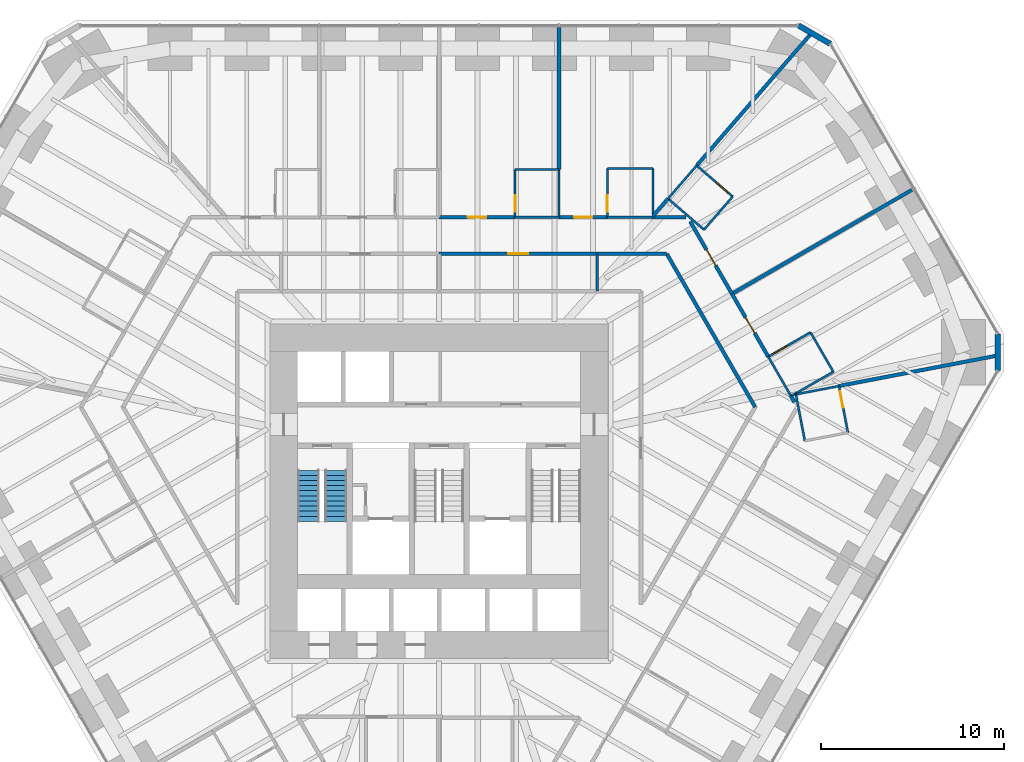
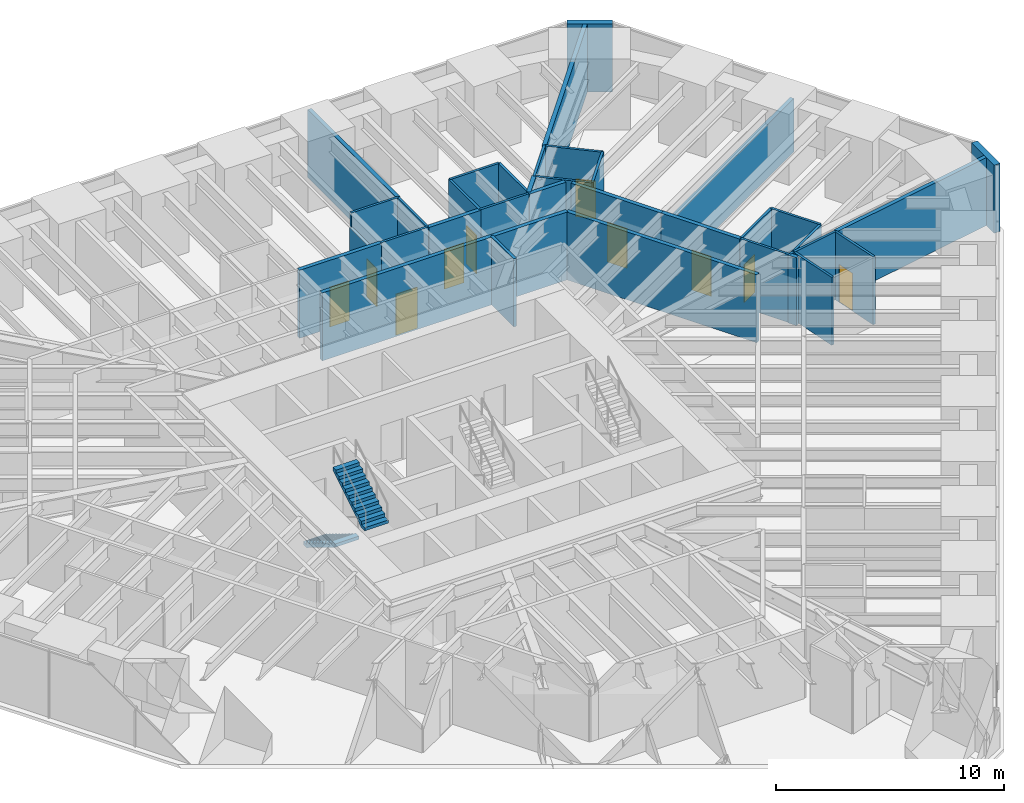
# One storey, part 15 of 17: 37 walls, 10 doors, 2 stair flights, 10 openings, 1 element without a shape of its own.
"""IFC4 building model written with IfcOpenShell, lengths in metres."""

from ifc_helpers import new_model, si_unit, direction, frame, frame_2d, origin, place, context, subcontext, project, spatial, polyline, rectangle, outline, extrude, material, layer, layer_set, type_object, element, fill, aggregate, save


model = new_model("IFC4")

# Units and contexts
model_context = context("Model", 3, precision=1e-05, world=origin(), true_north=direction((0.0, 1.0)))
body_context = subcontext(model_context, "Body", "Model", "MODEL_VIEW")
ifc_project = project(units=[si_unit("LENGTHUNIT", "METRE"), si_unit("AREAUNIT", "SQUARE_METRE"), si_unit("VOLUMEUNIT", "CUBIC_METRE"), si_unit("PLANEANGLEUNIT", "RADIAN"), si_unit("MASSUNIT", "GRAM", prefix="KILO")], contexts=[model_context])

# Site, building, storey
site_placement = place(None, origin())
site = spatial("IfcSite", under=ifc_project, at=site_placement, CompositionType="ELEMENT")
building_placement = place(site_placement, origin())
building = spatial("IfcBuilding", under=site, at=building_placement, Name="Sandreach Pilgrim Tower", CompositionType="ELEMENT")
storey_placement = place(building_placement, frame((0.0, 0.0, 49.60009765625)))
storey = spatial("IfcBuildingStorey", under=building, at=storey_placement, Name="L11", CompositionType="ELEMENT", Elevation=49.60009765625)

# Wall
ifc_material_1 = material(Name="Gypsum board on steel studs", Category="steel")
ifc_layer_1 = layer(ifc_material_1, 0.14990234375)
ifc_layer_set_1 = layer_set([ifc_layer_1], Name="Back of house wall 150")
wall_type_1 = type_object("IfcWallType", Name="Back of house wall 150", PredefinedType="PARTITIONING", material=ifc_layer_set_1)
wall_1_placement = place(storey_placement, frame((8.64990234375, 11.449951171875, 0.0), z_axis=(0.0, 0.0, 1.0), x_axis=(0.0, -1.0, 0.0)))
element("IfcWall", 1, at=wall_1_placement, inside=storey, type_object=wall_type_1, Name="Back of house wall L11-094", PredefinedType="PARTITIONING", context=body_context, shape_type="SweptSolid", body=[
    extrude(rectangle(XDim=2.050048828125, YDim=0.14990234375, at=frame_2d((1.02490234375, 0.0))), origin(), (0.0, 0.0, 1.0), 3.639892578125),
])

# Wall, opening, door
ifc_material_2 = material(Name="Moisture-resistant gypsum board on steel studs", Category="steel")
ifc_layer_2 = layer(ifc_material_2, 0.1201171875)
ifc_layer_set_2 = layer_set([ifc_layer_2], Name="Bathroom partition 120")
wall_type_2 = type_object("IfcWallType", Name="Bathroom partition 120", PredefinedType="PARTITIONING", material=ifc_layer_set_2)
wall_2_placement = place(storey_placement, frame((4.159912109375, 16.070068359375, 0.0), z_axis=(0.0, 0.0, 1.0), x_axis=(0.0, -1.0, 0.0)))
wall_2 = element("IfcWall", 2, at=wall_2_placement, inside=storey, type_object=wall_type_2, Name="Bathroom partition L11-076", PredefinedType="PARTITIONING", context=body_context, shape_type="SweptSolid", body=[
    extrude(rectangle(XDim=2.6201171875, YDim=0.1201171875, at=frame_2d((1.31005859375, 0.0))), origin(), (0.0, 0.0, 1.0), 2.8779296875),
])
opening_1_placement = place(wall_2_placement, frame((1.419921875, 0.0, 0.0)))
opening_1 = element("IfcOpeningElement", 3, at=opening_1_placement, cuts=wall_2, Name="Opening D09-03B", PredefinedType="OPENING", context=body_context, shape_type="SweptSolid", body=[
    extrude(rectangle(XDim=0.89990234375, YDim=2.030029296875, at=frame_2d((0.449951171875, 1.01513671875))), frame((0.0, 0.06005859375, 0.0), z_axis=(0.0, -1.0, 0.0), x_axis=(1.0, 0.0, 0.0)), (0.0, 0.0, 1.0), 0.1201171875),
])
ifc_material_3 = material(Name="Timber door, steel frame", Category="steel")
door_type_1 = type_object("IfcDoorType", Name="Bathroom door", OperationType="SINGLE_SWING_LEFT", PredefinedType="DOOR", material=ifc_material_3)
door_1_placement = place(opening_1_placement, origin())
door_1 = element("IfcDoor", 4, at=door_1_placement, inside=storey, type_object=door_type_1, Name="Door 1103B", OperationType="SINGLE_SWING_RIGHT", OverallHeight=2.030029296875, OverallWidth=0.89990234375, PredefinedType="DOOR", context=body_context, shape_type="SweptSolid", body=[
    extrude(rectangle(XDim=0.89990234375, YDim=2.030029296875, at=frame_2d((0.449951171875, 1.01513671875))), frame((0.0, 0.02490234375, 0.0), z_axis=(0.0, -1.0, 0.0), x_axis=(1.0, 0.0, 0.0)), (0.0, 0.0, 1.0), 0.050048828125),
])
fill(opening_1, door_1)

# Walls
for number, where, z_axis, x_axis, name in (
    (5, (6.56005859375, 13.449951171875, 0.0), (0.0, 0.0, 1.0), (-1.0, 0.0, 0.0), "Bathroom partition L11-081"),
    (6, (6.56005859375, 16.070068359375, 0.0), (0.0, 0.0, 1.0), (-1.0, 0.0, 0.0), "Bathroom partition L11-082"),
):
    element("IfcWall", number, at=place(storey_placement, frame(where, z_axis=z_axis, x_axis=x_axis)), inside=storey, type_object=wall_type_2, Name=name, PredefinedType="PARTITIONING", context=body_context, shape_type="SweptSolid", body=[
        extrude(rectangle(XDim=2.400146484375, YDim=0.1201171875, at=frame_2d((1.2001953125, 0.0))), origin(), (0.0, 0.0, 1.0), 3.639892578125),
    ])
wall_3_placement = place(storey_placement, frame((6.56005859375, 16.070068359375, 0.0), z_axis=(0.0, 0.0, 1.0), x_axis=(0.0, -1.0, 0.0)))
element("IfcWall", 7, at=wall_3_placement, inside=storey, type_object=wall_type_2, Name="Bathroom partition L11-083", PredefinedType="PARTITIONING", context=body_context, shape_type="SweptSolid", body=[
    extrude(rectangle(XDim=2.6201171875, YDim=0.1201171875, at=frame_2d((1.31005859375, 0.0))), origin(), (0.0, 0.0, 1.0), 3.639892578125),
])

# Wall, opening, door
wall_4_placement = place(storey_placement, frame((9.2099609375, 16.1201171875, 0.0), z_axis=(0.0, 0.0, 1.0), x_axis=(0.0, -1.0, 0.0)))
wall_4 = element("IfcWall", 8, at=wall_4_placement, inside=storey, type_object=wall_type_2, Name="Bathroom partition L11-098", PredefinedType="PARTITIONING", context=body_context, shape_type="SweptSolid", body=[
    extrude(rectangle(XDim=2.670166015625, YDim=0.1201171875, at=frame_2d((1.3349609375, 0.0))), origin(), (0.0, 0.0, 1.0), 3.639892578125),
])
opening_2_placement = place(wall_4_placement, frame((1.469970703125, 0.0, 0.0)))
opening_2 = element("IfcOpeningElement", 9, at=opening_2_placement, cuts=wall_4, Name="Opening D09-04B", PredefinedType="OPENING", context=body_context, shape_type="SweptSolid", body=[
    extrude(rectangle(XDim=0.89990234375, YDim=2.030029296875, at=frame_2d((0.449951171875, 1.01513671875))), frame((0.0, 0.06005859375, 0.0), z_axis=(0.0, -1.0, 0.0), x_axis=(1.0, 0.0, 0.0)), (0.0, 0.0, 1.0), 0.1201171875),
])
door_2_placement = place(opening_2_placement, origin())
door_2 = element("IfcDoor", 10, at=door_2_placement, inside=storey, type_object=door_type_1, Name="Door 1104B", OperationType="SINGLE_SWING_RIGHT", OverallHeight=2.030029296875, OverallWidth=0.89990234375, PredefinedType="DOOR", context=body_context, shape_type="SweptSolid", body=[
    extrude(rectangle(XDim=0.89990234375, YDim=2.030029296875, at=frame_2d((0.449951171875, 1.01513671875))), frame((0.0, 0.02490234375, 0.0), z_axis=(0.0, -1.0, 0.0), x_axis=(1.0, 0.0, 0.0)), (0.0, 0.0, 1.0), 0.050048828125),
])
fill(opening_2, door_2)

# Walls
wall_5_placement = place(storey_placement, frame((11.64990234375, 13.449951171875, 0.0), z_axis=(0.0, 0.0, 1.0), x_axis=(-1.0, 0.0, 0.0)))
element("IfcWall", 11, at=wall_5_placement, inside=storey, type_object=wall_type_2, Name="Bathroom partition L11-105", PredefinedType="PARTITIONING", context=body_context, shape_type="SweptSolid", body=[
    extrude(rectangle(XDim=2.43994140625, YDim=0.1201171875, at=frame_2d((1.219970703125, 0.0))), origin(), (0.0, 0.0, 1.0), 3.639892578125),
])
wall_6_placement = place(storey_placement, frame((11.7099609375, 13.60498046875, 0.0), z_axis=(0.0, 0.0, 1.0), x_axis=(0.0, 1.0, 0.0)))
element("IfcWall", 12, at=wall_6_placement, inside=storey, type_object=wall_type_2, Name="Bathroom partition L11-106", PredefinedType="PARTITIONING", context=body_context, shape_type="SweptSolid", body=[
    extrude(rectangle(XDim=2.51513671875, YDim=0.1201171875, at=frame_2d((1.257568359375, 0.0))), origin(), (0.0, 0.0, 1.0), 3.639892578125),
])
wall_7_placement = place(storey_placement, frame((11.7099609375, 16.1201171875, 0.0), z_axis=(0.0, 0.0, 1.0), x_axis=(-1.0, 0.0, 0.0)))
element("IfcWall", 13, at=wall_7_placement, inside=storey, type_object=wall_type_2, Name="Bathroom partition L11-107", PredefinedType="PARTITIONING", context=body_context, shape_type="SweptSolid", body=[
    extrude(rectangle(XDim=2.5, YDim=0.1201171875, at=frame_2d((1.25, 0.0))), origin(), (0.0, 0.0, 1.0), 3.639892578125),
])
wall_8_placement = place(storey_placement, frame((12.530029296875, 14.469970703125, 0.0), z_axis=(0.0, 0.0, 1.0), x_axis=(0.655194291402, 0.755460416245, 0.0)))
element("IfcWall", 14, at=wall_8_placement, inside=storey, type_object=wall_type_2, Name="Bathroom partition L11-111", PredefinedType="PARTITIONING", context=body_context, shape_type="SweptSolid", body=[
    extrude(rectangle(XDim=2.39599609375, YDim=0.1201171875, at=frame_2d((1.197998046875, 0.0))), origin(), (0.0, 0.0, 1.0), 3.639892578125),
])
wall_9_placement = place(storey_placement, frame((12.530029296875, 14.469970703125, 0.0), z_axis=(0.0, 0.0, 1.0), x_axis=(0.757086659925, -0.653314464377, 0.0)))
element("IfcWall", 15, at=wall_9_placement, inside=storey, type_object=wall_type_2, Name="Bathroom partition L11-112", PredefinedType="PARTITIONING", context=body_context, shape_type="SweptSolid", body=[
    extrude(rectangle(XDim=2.60205078125, YDim=0.1201171875, at=frame_2d((1.301025390625, 0.0))), origin(), (0.0, 0.0, 1.0), 3.639892578125),
])
wall_10_placement = place(storey_placement, frame((14.5, 12.77001953125, 0.0), z_axis=(0.0, 0.0, 1.0), x_axis=(0.655252439976, 0.755409981338, 0.0)))
element("IfcWall", 16, at=wall_10_placement, inside=storey, type_object=wall_type_2, Name="Bathroom partition L11-117", PredefinedType="PARTITIONING", context=body_context, shape_type="SweptSolid", body=[
    extrude(rectangle(XDim=2.396240234375, YDim=0.1201171875, at=frame_2d((1.1982421875, 0.0))), origin(), (0.0, 0.0, 1.0), 3.639892578125),
])

# Wall, opening, door
wall_11_placement = place(storey_placement, frame((16.070068359375, 14.580078125, 0.0), z_axis=(0.0, 0.0, 1.0), x_axis=(-0.757086659925, 0.653314464377, 0.0)))
wall_11 = element("IfcWall", 17, at=wall_11_placement, inside=storey, type_object=wall_type_2, Name="Bathroom partition L11-119", PredefinedType="PARTITIONING", context=body_context, shape_type="SweptSolid", body=[
    extrude(rectangle(XDim=2.60205078125, YDim=0.1201171875, at=frame_2d((1.301025390625, 0.0))), origin(), (0.0, 0.0, 1.0), 3.639892578125),
])
opening_3_placement = place(wall_11_placement, frame((0.300048828125, 0.0, 0.0)))
opening_3 = element("IfcOpeningElement", 18, at=opening_3_placement, cuts=wall_11, Name="Opening D09-05B", PredefinedType="OPENING", context=body_context, shape_type="SweptSolid", body=[
    extrude(rectangle(XDim=0.89990234375, YDim=2.030029296875, at=frame_2d((0.449951171875, 1.01513671875))), frame((0.0, 0.06005859375, 0.0), z_axis=(0.0, -1.0, 0.0), x_axis=(1.0, 0.0, 0.0)), (0.0, 0.0, 1.0), 0.1201171875),
])
door_3_placement = place(opening_3_placement, origin())
door_3 = element("IfcDoor", 19, at=door_3_placement, inside=storey, type_object=door_type_1, Name="Door 1105B", OperationType="SINGLE_SWING_LEFT", OverallHeight=2.030029296875, OverallWidth=0.89990234375, PredefinedType="DOOR", context=body_context, shape_type="SweptSolid", body=[
    extrude(rectangle(XDim=0.89990234375, YDim=2.030029296875, at=frame_2d((0.449951171875, 1.01513671875))), frame((0.0, 0.02490234375, 0.0), z_axis=(0.0, -1.0, 0.0), x_axis=(1.0, 0.0, 0.0)), (0.0, 0.0, 1.0), 0.050048828125),
])
fill(opening_3, door_3)

# Walls
wall_12_placement = place(storey_placement, frame((18.017578125, 5.818603515625, 0.0), z_axis=(0.0, 0.0, 1.0), x_axis=(0.499757016066, -0.866165645181, 0.0)))
element("IfcWall", 20, at=wall_12_placement, inside=storey, type_object=wall_type_2, Name="Bathroom partition L11-123", PredefinedType="PARTITIONING", context=body_context, shape_type="SweptSolid", body=[
    extrude(rectangle(XDim=2.446044921875, YDim=0.1201171875, at=frame_2d((1.22314453125, 0.0))), origin(), (0.0, 0.0, 1.0), 3.639892578125),
])
wall_13_placement = place(storey_placement, frame((19.274169921875, 3.70703125, 0.0), z_axis=(0.0, 0.0, 1.0), x_axis=(0.979121116236, 0.203277740395, 0.0)))
element("IfcWall", 21, at=wall_13_placement, inside=storey, type_object=wall_type_2, Name="Bathroom partition L11-125", PredefinedType="PARTITIONING", context=body_context, shape_type="SweptSolid", body=[
    extrude(rectangle(XDim=0.216064453125, YDim=0.1201171875, at=frame_2d((0.10791015625, 0.0))), origin(), (0.0, 0.0, 1.0), 3.639892578125),
])
wall_14_placement = place(storey_placement, frame((19.409912109375, 3.739990234375, 0.0), z_axis=(0.0, 0.0, 1.0), x_axis=(0.86653430447, 0.499117520406, 0.0)))
element("IfcWall", 22, at=wall_14_placement, inside=storey, type_object=wall_type_2, Name="Bathroom partition L11-126", PredefinedType="PARTITIONING", context=body_context, shape_type="SweptSolid", body=[
    extrude(rectangle(XDim=2.50439453125, YDim=0.1201171875, at=frame_2d((1.252197265625, 0.0))), origin(), (0.0, 0.0, 1.0), 3.639892578125),
])
wall_15_placement = place(storey_placement, frame((19.530029296875, 3.760009765625, 0.0), z_axis=(0.0, 0.0, 1.0), x_axis=(0.188697442844, -0.982035271802, 0.0)))
element("IfcWall", 23, at=wall_15_placement, inside=storey, type_object=wall_type_2, Name="Bathroom partition L11-127", PredefinedType="PARTITIONING", context=body_context, shape_type="SweptSolid", body=[
    extrude(rectangle(XDim=2.5966796875, YDim=0.1201171875, at=frame_2d((1.29833984375, 0.0))), origin(), (0.0, 0.0, 1.0), 3.639892578125),
])
wall_16_placement = place(storey_placement, frame((19.530029296875, 3.760009765625, 0.0), z_axis=(0.0, 0.0, 1.0), x_axis=(0.982303859288, 0.187294228499, 0.0)))
element("IfcWall", 24, at=wall_16_placement, inside=storey, type_object=wall_type_2, Name="Bathroom partition L11-128", PredefinedType="PARTITIONING", context=body_context, shape_type="SweptSolid", body=[
    extrude(rectangle(XDim=2.40234375, YDim=0.1201171875, at=frame_2d((1.201171875, 0.0))), origin(), (0.0, 0.0, 1.0), 3.639892578125),
])

# Wall, opening, door
wall_17_placement = place(storey_placement, frame((20.330078125, 7.14990234375, 0.0), z_axis=(0.0, 0.0, 1.0), x_axis=(-0.866654860089, -0.498908161372, 0.0)))
wall_17 = element("IfcWall", 25, at=wall_17_placement, inside=storey, type_object=wall_type_2, Name="Bathroom partition L11-130", PredefinedType="PARTITIONING", context=body_context, shape_type="SweptSolid", body=[
    extrude(rectangle(XDim=2.66552734375, YDim=0.1201171875, at=frame_2d((1.332763671875, 0.0))), origin(), (0.0, 0.0, 1.0), 3.639892578125),
])
opening_4_placement = place(wall_17_placement, frame((1.465576171875, 0.0, 0.0)))
opening_4 = element("IfcOpeningElement", 26, at=opening_4_placement, cuts=wall_17, Name="Opening D09-06B", PredefinedType="OPENING", context=body_context, shape_type="SweptSolid", body=[
    extrude(rectangle(XDim=0.89990234375, YDim=2.030029296875, at=frame_2d((0.449951171875, 1.01513671875))), frame((0.0, 0.06005859375, 0.0), z_axis=(0.0, -1.0, 0.0), x_axis=(1.0, 0.0, 0.0)), (0.0, 0.0, 1.0), 0.1201171875),
])
door_4_placement = place(opening_4_placement, origin())
door_4 = element("IfcDoor", 27, at=door_4_placement, inside=storey, type_object=door_type_1, Name="Door 1106B", OperationType="SINGLE_SWING_RIGHT", OverallHeight=2.030029296875, OverallWidth=0.89990234375, PredefinedType="DOOR", context=body_context, shape_type="SweptSolid", body=[
    extrude(rectangle(XDim=0.89990234375, YDim=2.030029296875, at=frame_2d((0.449951171875, 1.01513671875))), frame((0.0, 0.02490234375, 0.0), z_axis=(0.0, -1.0, 0.0), x_axis=(1.0, 0.0, 0.0)), (0.0, 0.0, 1.0), 0.050048828125),
])
fill(opening_4, door_4)

# Wall
wall_18_placement = place(storey_placement, frame((21.580078125, 4.989990234375, 0.0), z_axis=(0.0, 0.0, 1.0), x_axis=(-0.500893576935, 0.865508881864, 0.0)))
element("IfcWall", 28, at=wall_18_placement, inside=storey, type_object=wall_type_2, Name="Bathroom partition L11-131", PredefinedType="PARTITIONING", context=body_context, shape_type="SweptSolid", body=[
    extrude(rectangle(XDim=2.49560546875, YDim=0.1201171875, at=frame_2d((1.247802734375, 0.0))), origin(), (0.0, 0.0, 1.0), 3.639892578125),
])

# Wall, opening, door
wall_19_placement = place(storey_placement, frame((22.3798828125, 1.659912109375, 0.0), z_axis=(0.0, 0.0, 1.0), x_axis=(-0.188697442844, 0.982035271802, 0.0)))
wall_19 = element("IfcWall", 29, at=wall_19_placement, inside=storey, type_object=wall_type_2, Name="Bathroom partition L11-133", PredefinedType="PARTITIONING", context=body_context, shape_type="SweptSolid", body=[
    extrude(rectangle(XDim=2.5966796875, YDim=0.1201171875, at=frame_2d((1.29833984375, 0.0))), origin(), (0.0, 0.0, 1.0), 3.639892578125),
])
opening_5_placement = place(wall_19_placement, frame((1.396728515625, 0.0, 0.0)))
opening_5 = element("IfcOpeningElement", 30, at=opening_5_placement, cuts=wall_19, Name="Opening D09-07B", PredefinedType="OPENING", context=body_context, shape_type="SweptSolid", body=[
    extrude(rectangle(XDim=0.89990234375, YDim=2.030029296875, at=frame_2d((0.449951171875, 1.01513671875))), frame((0.0, 0.06005859375, 0.0), z_axis=(0.0, -1.0, 0.0), x_axis=(1.0, 0.0, 0.0)), (0.0, 0.0, 1.0), 0.1201171875),
])
door_5_placement = place(opening_5_placement, origin())
door_5 = element("IfcDoor", 31, at=door_5_placement, inside=storey, type_object=door_type_1, Name="Door 1107B", OperationType="SINGLE_SWING_RIGHT", OverallHeight=2.030029296875, OverallWidth=0.89990234375, PredefinedType="DOOR", context=body_context, shape_type="SweptSolid", body=[
    extrude(rectangle(XDim=0.89990234375, YDim=2.030029296875, at=frame_2d((0.449951171875, 1.01513671875))), frame((0.0, 0.02490234375, 0.0), z_axis=(0.0, -1.0, 0.0), x_axis=(1.0, 0.0, 0.0)), (0.0, 0.0, 1.0), 0.050048828125),
])
fill(opening_5, door_5)

ifc_material_4 = material(Name="Gypsum board on steel studs, two layers each side", Category="steel")
ifc_layer_3 = layer(ifc_material_4, 0.199951171875)
ifc_layer_set_3 = layer_set([ifc_layer_3], Name="Corridor wall 200")
wall_type_3 = type_object("IfcWallType", Name="Corridor wall 200", PredefinedType="PARTITIONING", material=ifc_layer_set_3)
wall_20_placement = place(storey_placement, frame((0.0, 11.449951171875, 0.0), z_axis=(0.0, 0.0, 1.0), x_axis=(1.0, 0.0, 0.0)))
wall_20 = element("IfcWall", 32, at=wall_20_placement, inside=storey, type_object=wall_type_3, Name="Corridor wall L11-065", PredefinedType="PARTITIONING", context=body_context, shape_type="SweptSolid", body=[
    extrude(rectangle(XDim=8.64990234375, YDim=0.199951171875, at=frame_2d((4.324951171875, 0.0))), origin(), (0.0, 0.0, 1.0), 3.639892578125),
])
opening_6_placement = place(wall_20_placement, frame((3.77490234375, 0.0, 0.0)))
opening_6 = element("IfcOpeningElement", 33, at=opening_6_placement, cuts=wall_20, Name="Opening D11H-M03", PredefinedType="OPENING", context=body_context, shape_type="SweptSolid", body=[
    extrude(rectangle(XDim=1.10009765625, YDim=2.199951171875, at=frame_2d((0.550048828125, 1.10009765625))), frame((0.0, 0.10009765625, 0.0), z_axis=(0.0, -1.0, 0.0), x_axis=(1.0, 0.0, 0.0)), (0.0, 0.0, 1.0), 0.199951171875),
])
ifc_material_5 = material(Name="Steel door and frame", Category="steel")
door_type_2 = type_object("IfcDoorType", Name="Back of house door", OperationType="SINGLE_SWING_LEFT", PredefinedType="DOOR", material=ifc_material_5)
door_6_placement = place(opening_6_placement, origin())
door_6 = element("IfcDoor", 34, at=door_6_placement, inside=storey, type_object=door_type_2, Name="Door 11M03", OperationType="SINGLE_SWING_LEFT", OverallHeight=2.199951171875, OverallWidth=1.10009765625, PredefinedType="DOOR", context=body_context, shape_type="SweptSolid", body=[
    extrude(rectangle(XDim=1.10009765625, YDim=2.199951171875, at=frame_2d((0.550048828125, 1.10009765625))), frame((0.0, 0.02490234375, 0.0), z_axis=(0.0, -1.0, 0.0), x_axis=(1.0, 0.0, 0.0)), (0.0, 0.0, 1.0), 0.050048828125),
])
fill(opening_6, door_6)

wall_21_placement = place(storey_placement, frame((4.159912109375, 13.449951171875, 0.0), z_axis=(0.0, 0.0, 1.0), x_axis=(-1.0, 0.0, 0.0)))
wall_21 = element("IfcWall", 35, at=wall_21_placement, inside=storey, type_object=wall_type_3, Name="Corridor wall L11-075", PredefinedType="PARTITIONING", context=body_context, shape_type="SweptSolid", body=[
    extrude(rectangle(XDim=4.159912109375, YDim=0.199951171875, at=frame_2d((2.080078125, 0.0))), origin(), (0.0, 0.0, 1.0), 3.639892578125),
])
opening_7_placement = place(wall_21_placement, frame((1.580078125, 0.0, 0.0)))
opening_7 = element("IfcOpeningElement", 36, at=opening_7_placement, cuts=wall_21, Name="Opening D10-03", PredefinedType="OPENING", context=body_context, shape_type="SweptSolid", body=[
    extrude(rectangle(XDim=1.0, YDim=2.1298828125, at=frame_2d((0.5, 1.06494140625))), frame((0.0, 0.10009765625, 0.0), z_axis=(0.0, -1.0, 0.0), x_axis=(1.0, 0.0, 0.0)), (0.0, 0.0, 1.0), 0.199951171875),
])
ifc_material_6 = material(Name="Steel door and frame", Category="steel")
door_type_3 = type_object("IfcDoorType", Name="Guest room entry door", OperationType="SINGLE_SWING_LEFT", PredefinedType="DOOR", material=ifc_material_6)
door_7_placement = place(opening_7_placement, origin())
door_7 = element("IfcDoor", 37, at=door_7_placement, inside=storey, type_object=door_type_3, Name="Door 1103", OperationType="SINGLE_SWING_LEFT", OverallHeight=2.1298828125, OverallWidth=1.0, PredefinedType="DOOR", context=body_context, shape_type="SweptSolid", body=[
    extrude(rectangle(XDim=1.0, YDim=2.1298828125, at=frame_2d((0.5, 1.06494140625))), frame((0.0, 0.02490234375, 0.0), z_axis=(0.0, -1.0, 0.0), x_axis=(1.0, 0.0, 0.0)), (0.0, 0.0, 1.0), 0.050048828125),
])
fill(opening_7, door_7)

# Wall
wall_22_placement = place(storey_placement, frame((8.64990234375, 11.449951171875, 0.0), z_axis=(0.0, 0.0, 1.0), x_axis=(1.0, 0.0, 0.0)))
element("IfcWall", 38, at=wall_22_placement, inside=storey, type_object=wall_type_3, Name="Corridor wall L11-095", PredefinedType="PARTITIONING", context=body_context, shape_type="SweptSolid", body=[
    extrude(rectangle(XDim=3.81005859375, YDim=0.199951171875, at=frame_2d((1.905029296875, 0.0))), origin(), (0.0, 0.0, 1.0), 3.639892578125),
])

# Wall, opening, door
wall_23_placement = place(storey_placement, frame((9.2099609375, 13.449951171875, 0.0), z_axis=(0.0, 0.0, 1.0), x_axis=(-1.0, 0.0, 0.0)))
wall_23 = element("IfcWall", 39, at=wall_23_placement, inside=storey, type_object=wall_type_3, Name="Corridor wall L11-097", PredefinedType="PARTITIONING", context=body_context, shape_type="SweptSolid", body=[
    extrude(rectangle(XDim=2.64990234375, YDim=0.199951171875, at=frame_2d((1.324951171875, 0.0))), origin(), (0.0, 0.0, 1.0), 3.639892578125),
])
opening_8_placement = place(wall_23_placement, frame((0.824951171875, 0.0, 0.0)))
opening_8 = element("IfcOpeningElement", 40, at=opening_8_placement, cuts=wall_23, Name="Opening D10-04", PredefinedType="OPENING", context=body_context, shape_type="SweptSolid", body=[
    extrude(rectangle(XDim=1.0, YDim=2.1298828125, at=frame_2d((0.5, 1.06494140625))), frame((0.0, 0.10009765625, 0.0), z_axis=(0.0, -1.0, 0.0), x_axis=(1.0, 0.0, 0.0)), (0.0, 0.0, 1.0), 0.199951171875),
])
door_8_placement = place(opening_8_placement, origin())
door_8 = element("IfcDoor", 41, at=door_8_placement, inside=storey, type_object=door_type_3, Name="Door 1104", OperationType="SINGLE_SWING_LEFT", OverallHeight=2.1298828125, OverallWidth=1.0, PredefinedType="DOOR", context=body_context, shape_type="SweptSolid", body=[
    extrude(rectangle(XDim=1.0, YDim=2.1298828125, at=frame_2d((0.5, 1.06494140625))), frame((0.0, 0.02490234375, 0.0), z_axis=(0.0, -1.0, 0.0), x_axis=(1.0, 0.0, 0.0)), (0.0, 0.0, 1.0), 0.050048828125),
])
fill(opening_8, door_8)

# Walls
wall_24_placement = place(storey_placement, frame((12.4599609375, 11.449951171875, 0.0), z_axis=(0.0, 0.0, 1.0), x_axis=(0.499704269421, -0.866196076603, 0.0)))
element("IfcWall", 42, at=wall_24_placement, inside=storey, type_object=wall_type_3, Name="Corridor wall L11-110", PredefinedType="PARTITIONING", context=body_context, shape_type="SweptSolid", body=[
    extrude(rectangle(XDim=9.685791015625, YDim=0.199951171875, at=frame_2d((4.8427734375, 0.0))), origin(), (0.0, 0.0, 1.0), 3.639892578125),
])
wall_25_placement = place(storey_placement, frame((13.5048828125, 13.449951171875, 0.0), z_axis=(0.0, 0.0, 1.0), x_axis=(-1.0, 0.0, 0.0)))
element("IfcWall", 43, at=wall_25_placement, inside=storey, type_object=wall_type_3, Name="Corridor wall L11-113", PredefinedType="PARTITIONING", context=body_context, shape_type="SweptSolid", body=[
    extrude(rectangle(XDim=1.85498046875, YDim=0.199951171875, at=frame_2d((0.927490234375, 0.0))), origin(), (0.0, 0.0, 1.0), 3.639892578125),
])

# Wall, opening, door
wall_26_placement = place(storey_placement, frame((13.742431640625, 13.220458984375, 0.0), z_axis=(0.0, 0.0, 1.0), x_axis=(0.500169095125, -0.865927754655, 0.0)))
wall_26 = element("IfcWall", 44, at=wall_26_placement, inside=storey, type_object=wall_type_3, Name="Corridor wall L11-115", PredefinedType="PARTITIONING", context=body_context, shape_type="SweptSolid", body=[
    extrude(rectangle(XDim=4.57373046875, YDim=0.199951171875, at=frame_2d((2.286865234375, 0.0))), origin(), (0.0, 0.0, 1.0), 3.639892578125),
])
opening_9_placement = place(wall_26_placement, frame((1.786865234375, 0.0, 0.0)))
opening_9 = element("IfcOpeningElement", 45, at=opening_9_placement, cuts=wall_26, Name="Opening D10-05", PredefinedType="OPENING", context=body_context, shape_type="SweptSolid", body=[
    extrude(rectangle(XDim=1.0, YDim=2.1298828125, at=frame_2d((0.5, 1.06494140625))), frame((0.0, 0.10009765625, 0.0), z_axis=(0.0, -1.0, 0.0), x_axis=(1.0, 0.0, 0.0)), (0.0, 0.0, 1.0), 0.199951171875),
])
door_9_placement = place(opening_9_placement, origin())
door_9 = element("IfcDoor", 46, at=door_9_placement, inside=storey, type_object=door_type_3, Name="Door 1105", OperationType="SINGLE_SWING_LEFT", OverallHeight=2.1298828125, OverallWidth=1.0, PredefinedType="DOOR", context=body_context, shape_type="SweptSolid", body=[
    extrude(rectangle(XDim=1.0, YDim=2.1298828125, at=frame_2d((0.5, 1.06494140625))), frame((0.0, 0.02490234375, 0.0), z_axis=(0.0, -1.0, 0.0), x_axis=(1.0, 0.0, 0.0)), (0.0, 0.0, 1.0), 0.050048828125),
])
fill(opening_9, door_9)

wall_27_placement = place(storey_placement, frame((16.030029296875, 9.260009765625, 0.0), z_axis=(0.0, 0.0, 1.0), x_axis=(0.500123041693, -0.865954353975, 0.0)))
wall_27 = element("IfcWall", 47, at=wall_27_placement, inside=storey, type_object=wall_type_3, Name="Corridor wall L11-118", PredefinedType="PARTITIONING", context=body_context, shape_type="SweptSolid", body=[
    extrude(rectangle(XDim=3.97412109375, YDim=0.199951171875, at=frame_2d((1.987060546875, 0.0))), origin(), (0.0, 0.0, 1.0), 3.639892578125),
])
opening_10_placement = place(wall_27_placement, frame((1.487060546875, 0.0, 0.0)))
opening_10 = element("IfcOpeningElement", 48, at=opening_10_placement, cuts=wall_27, Name="Opening D10-06", PredefinedType="OPENING", context=body_context, shape_type="SweptSolid", body=[
    extrude(rectangle(XDim=1.0, YDim=2.1298828125, at=frame_2d((0.5, 1.06494140625))), frame((0.0, 0.10009765625, 0.0), z_axis=(0.0, -1.0, 0.0), x_axis=(1.0, 0.0, 0.0)), (0.0, 0.0, 1.0), 0.199951171875),
])
door_10_placement = place(opening_10_placement, origin())
door_10 = element("IfcDoor", 49, at=door_10_placement, inside=storey, type_object=door_type_3, Name="Door 1106", OperationType="SINGLE_SWING_LEFT", OverallHeight=2.1298828125, OverallWidth=1.0, PredefinedType="DOOR", context=body_context, shape_type="SweptSolid", body=[
    extrude(rectangle(XDim=1.0, YDim=2.1298828125, at=frame_2d((0.5, 1.06494140625))), frame((0.0, 0.02490234375, 0.0), z_axis=(0.0, -1.0, 0.0), x_axis=(1.0, 0.0, 0.0)), (0.0, 0.0, 1.0), 0.050048828125),
])
fill(opening_10, door_10)

# Walls
wall_28_placement = place(storey_placement, frame((19.239990234375, 3.699951171875, 0.0), z_axis=(0.0, 0.0, 1.0), x_axis=(0.500371262739, -0.865810949009, 0.0)))
element("IfcWall", 50, at=wall_28_placement, inside=storey, type_object=wall_type_3, Name="Corridor wall L11-124", PredefinedType="PARTITIONING", context=body_context, shape_type="SweptSolid", body=[
    extrude(rectangle(XDim=0.434326171875, YDim=0.199951171875, at=frame_2d((0.21728515625, 0.0))), origin(), (0.0, 0.0, 1.0), 3.639892578125),
])
ifc_material_7 = material(Name="Double steel stud acoustic wall, gypsum board", Category="steel")
ifc_layer_4 = layer(ifc_material_7, 0.199951171875)
ifc_layer_set_4 = layer_set([ifc_layer_4], Name="Party wall 200")
wall_type_4 = type_object("IfcWallType", Name="Party wall 200", PredefinedType="PARTITIONING", material=ifc_layer_set_4)
wall_29_placement = place(storey_placement, frame((6.56005859375, 23.830078125, 0.0), z_axis=(0.0, 0.0, 1.0), x_axis=(0.0, -1.0, 0.0)))
element("IfcWall", 51, at=wall_29_placement, inside=storey, type_object=wall_type_4, Name="Party wall L11-084", PredefinedType="PARTITIONING", context=body_context, shape_type="SweptSolid", body=[
    extrude(rectangle(XDim=7.760009765625, YDim=0.199951171875, at=frame_2d((3.8798828125, 0.0))), origin(), (0.0, 0.0, 1.0), 3.639892578125),
])
wall_30_placement = place(storey_placement, frame((11.715087890625, 13.525634765625, 0.0), z_axis=(0.0, 0.0, 1.0), x_axis=(0.653334457224, 0.757069406993, 0.0)))
element("IfcWall", 52, at=wall_30_placement, inside=storey, type_object=wall_type_4, Name="Party wall L11-108", PredefinedType="PARTITIONING", context=body_context, shape_type="SweptSolid", body=[
    extrude(rectangle(XDim=1.247314453125, YDim=0.199951171875, at=frame_2d((0.62353515625, 0.0))), origin(), (0.0, 0.0, 1.0), 3.639892578125),
])
wall_31_placement = place(storey_placement, frame((14.10009765625, 16.280029296875, 0.0), z_axis=(0.0, 0.0, 1.0), x_axis=(0.655045529498, 0.755589408531, 0.0)))
element("IfcWall", 53, at=wall_31_placement, inside=storey, type_object=wall_type_4, Name="Party wall L11-116", PredefinedType="PARTITIONING", context=body_context, shape_type="SweptSolid", body=[
    extrude(rectangle(XDim=9.6181640625, YDim=0.199951171875, at=frame_2d((4.80908203125, 0.0))), origin(), (0.0, 0.0, 1.0), 3.639892578125),
])
wall_32_placement = place(storey_placement, frame((21.88916015625, 4.214599609375, 0.0), z_axis=(0.0, 0.0, 1.0), x_axis=(0.982083212717, 0.188447773401, 0.0)))
element("IfcWall", 54, at=wall_32_placement, inside=storey, type_object=wall_type_4, Name="Party wall L11-132", PredefinedType="PARTITIONING", context=body_context, shape_type="SweptSolid", body=[
    extrude(rectangle(XDim=8.860107421875, YDim=0.199951171875, at=frame_2d((4.43017578125, 0.0))), origin(), (0.0, 0.0, 1.0), 3.639892578125),
])
wall_33_placement = place(storey_placement, frame((25.885986328125, 14.949951171875, 0.0), z_axis=(0.0, 0.0, 1.0), x_axis=(-0.86604429266, -0.499967282081, 0.0)))
element("IfcWall", 55, at=wall_33_placement, inside=storey, type_object=wall_type_4, Name="Party wall L11-135", PredefinedType="PARTITIONING", context=body_context, shape_type="SweptSolid", body=[
    extrude(rectangle(XDim=11.365478515625, YDim=0.199951171875, at=frame_2d((5.6826171875, 0.0))), origin(), (0.0, 0.0, 1.0), 2.860107421875),
])
ifc_material_8 = material(Name="Terracotta rainscreen on concrete", Category="masonry")
ifc_layer_5 = layer(ifc_material_8, 0.300048828125)
ifc_layer_set_5 = layer_set([ifc_layer_5], Name="Terracotta chamfer pier")
wall_type_5 = type_object("IfcWallType", Name="Terracotta chamfer pier", PredefinedType="SOLIDWALL", material=ifc_layer_set_5)
for number, where, z_axis, x_axis, name in (
    (56, (19.672119140625, 23.94873046875, 0.0), (0.0, 0.0, 1.0), (0.866010750942, -0.50002537861, 0.0), "Chamfer pier L11 N"),
    (57, (30.576171875, 7.062255859375, 0.0), (0.0, 0.0, 1.0), (0.0, -1.0, 0.0), "Chamfer pier L11 NE"),
):
    element("IfcWall", number, at=place(storey_placement, frame(where, z_axis=z_axis, x_axis=x_axis)), inside=storey, type_object=wall_type_5, Name=name, PredefinedType="SOLIDWALL", context=body_context, shape_type="SweptSolid", body=[
        extrude(rectangle(XDim=2.0, YDim=0.300048828125, at=frame_2d((1.0, 0.0))), origin(), (0.0, 0.0, 1.0), 3.639892578125),
    ])

# Stair, stair flights
ifc_material_9 = material(Name="Concrete 8000 psi", Category="concrete")
stair_type = type_object("IfcStairType", Name="Core exit stair", PredefinedType="HALF_TURN_STAIR", material=ifc_material_9)
stair_placement = place(storey_placement, origin())
stair = element("IfcStair", 58, at=stair_placement, inside=storey, type_object=stair_type, Name="Exit stair ST1 L11", PredefinedType="HALF_TURN_STAIR")
ifc_material_10 = material(Name="Concrete 8000 psi", Category="concrete")
stair_flight_type = type_object("IfcStairFlightType", Name="Core stair flight 1200", PredefinedType="STRAIGHT", material=ifc_material_10)
stair_flight_1_placement = place(storey_placement, frame((-7.14990234375, -0.39990234375, 0.0), z_axis=(0.0, 0.0, 1.0), x_axis=(0.0, -1.0, 0.0)))
stair_flight_1 = element("IfcStairFlight", 59, at=stair_flight_1_placement, type_object=stair_flight_type, Name="ST1 flight 1", NumberOfRisers=11, NumberOfTreads=10, PredefinedType="STRAIGHT", RiserHeight=0.172727273, TreadLength=0.28, context=body_context, shape_type="SweptSolid", body=[
    extrude(outline(polyline([(0.0, 0.0), (0.0, 0.172607421875), (0.280029296875, 0.172607421875), (0.280029296875, 0.345458984375), (0.56005859375, 0.345458984375), (0.56005859375, 0.51806640625), (0.840087890625, 0.51806640625), (0.840087890625, 0.69091796875), (1.1201171875, 0.69091796875), (1.1201171875, 0.863525390625), (1.39990234375, 0.863525390625), (1.39990234375, 1.036376953125), (1.679931640625, 1.036376953125), (1.679931640625, 1.208984375), (1.9599609375, 1.208984375), (1.9599609375, 1.3818359375), (2.239990234375, 1.3818359375), (2.239990234375, 1.554443359375), (2.52001953125, 1.554443359375), (2.52001953125, 1.727294921875), (2.800048828125, 1.727294921875), (2.800048828125, 1.89990234375), (2.800048828125, 1.551025390625), (0.285400390625, 0.0), (0.0, 0.0)])), frame((0.0, 0.60009765625, 0.0), z_axis=(0.0, -1.0, 0.0), x_axis=(1.0, 0.0, 0.0)), (0.0, 0.0, 1.0), 1.199951171875),
])
stair_flight_2_placement = place(storey_placement, frame((-5.64990234375, -3.199951171875, 1.89990234375), z_axis=(0.0, 0.0, 1.0), x_axis=(0.0, 1.0, 0.0)))
stair_flight_2 = element("IfcStairFlight", 60, at=stair_flight_2_placement, type_object=stair_flight_type, Name="ST1 flight 2", NumberOfRisers=11, NumberOfTreads=10, PredefinedType="STRAIGHT", RiserHeight=0.172727273, TreadLength=0.28, context=body_context, shape_type="SweptSolid", body=[
    extrude(outline(polyline([(0.0, 0.0), (0.0, 0.172607421875), (0.280029296875, 0.172607421875), (0.280029296875, 0.345458984375), (0.56005859375, 0.345458984375), (0.56005859375, 0.51806640625), (0.840087890625, 0.51806640625), (0.840087890625, 0.69091796875), (1.1201171875, 0.69091796875), (1.1201171875, 0.863525390625), (1.39990234375, 0.863525390625), (1.39990234375, 1.036376953125), (1.679931640625, 1.036376953125), (1.679931640625, 1.208984375), (1.9599609375, 1.208984375), (1.9599609375, 1.3818359375), (2.239990234375, 1.3818359375), (2.239990234375, 1.554443359375), (2.52001953125, 1.554443359375), (2.52001953125, 1.727294921875), (2.800048828125, 1.727294921875), (2.800048828125, 1.89990234375), (2.800048828125, 1.551025390625), (0.285400390625, 0.0), (0.0, 0.0)])), frame((0.0, 0.60009765625, 0.0), z_axis=(0.0, -1.0, 0.0), x_axis=(1.0, 0.0, 0.0)), (0.0, 0.0, 1.0), 1.199951171875),
])
aggregate(stair, [stair_flight_1, stair_flight_2])

save(model, "model.ifc")
